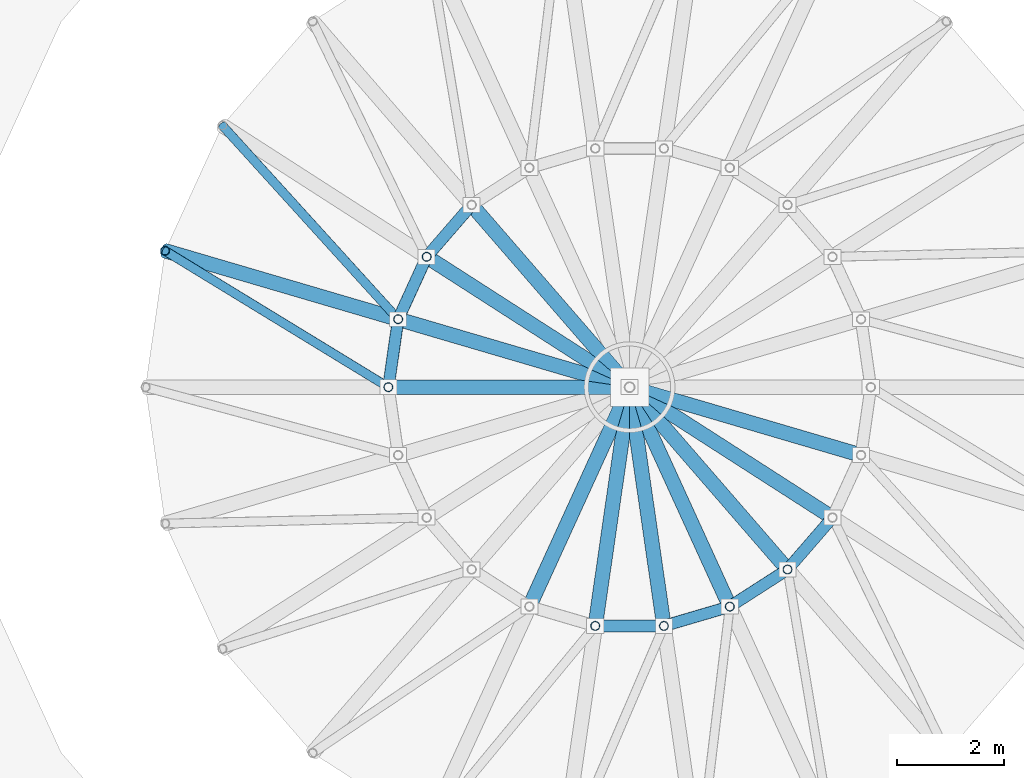
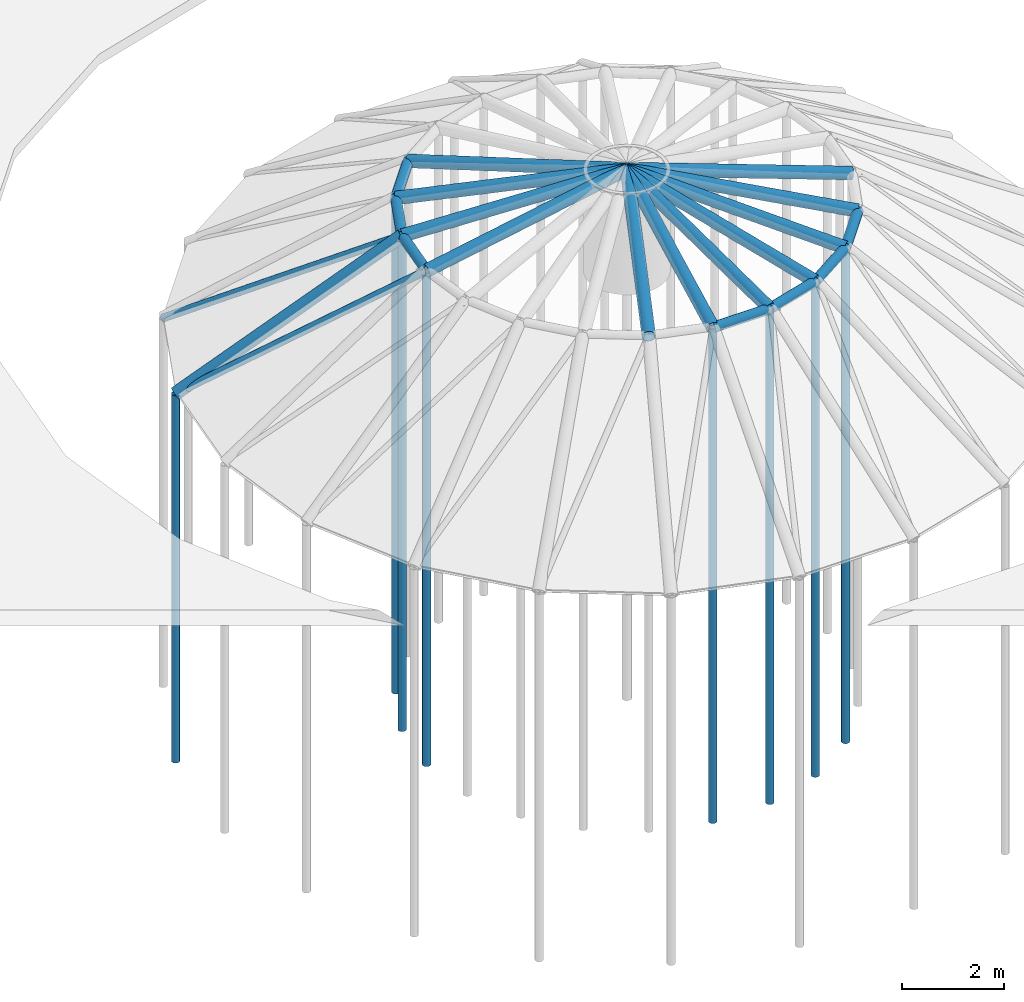
# One storey, part 2 of 8: 19 beams, 10 members.
"""IFC4 building model written with IfcOpenShell, lengths in metres."""

from ifc_helpers import new_model, si_unit, direction, frame, origin, origin_2d, place, context, subcontext, project, spatial, hollow_circle, extrude, material, material_profile, profile_set, type_object, element, save


model = new_model("IFC4")

# Units and contexts
model_context = context("Model", 3, precision=1e-05, world=origin(), true_north=direction((0.0, 1.0)))
body_context = subcontext(model_context, "Body", "Model", "MODEL_VIEW")
ifc_project = project(units=[si_unit("LENGTHUNIT", "METRE"), si_unit("AREAUNIT", "SQUARE_METRE"), si_unit("VOLUMEUNIT", "CUBIC_METRE"), si_unit("PLANEANGLEUNIT", "RADIAN"), si_unit("MASSUNIT", "GRAM", prefix="KILO")], contexts=[model_context])

# Site, building, storey
site_placement = place(None, origin())
site = spatial("IfcSite", under=ifc_project, at=site_placement, CompositionType="ELEMENT")
building_placement = place(site_placement, origin())
building = spatial("IfcBuilding", under=site, at=building_placement, Name="Pelvatis Terrace Science Centre", CompositionType="ELEMENT")
storey_placement = place(building_placement, frame((0.0, 0.0, 28.800048828125)))
storey = spatial("IfcBuildingStorey", under=building, at=storey_placement, Name="RF", CompositionType="ELEMENT", Elevation=28.800048828125)

# Beams
ifc_material_1 = material(Name="Structural steel S355", Category="steel")
ifc_material_profile_1 = material_profile(ifc_material_1, hollow_circle(Radius=0.136474609375, WallThickness=0.010009765625, at=origin_2d()), Name="CHS 273.0x10.0")
ifc_profile_set_1 = profile_set([ifc_material_profile_1], Name="Structural steel S355")
beam_type_1 = type_object("IfcBeamType", Name="BM-DOME-CHS273", PredefinedType="BEAM", material=ifc_profile_set_1)
for number, where, z_axis, x_axis, name in (
    (1, (106.242919921875, 89.21240234375, 1.56298828125), (0.643919949222, -0.74307043678, 0.182245507425), (0.755726545812, 0.654887309356, 0.0), "Planetarium meridional dome rib 09.4"),
    (2, (105.4013671875, 88.2412109375, 1.56298828125), (0.82716924602, -0.531580775818, 0.182244114362), (0.540634613019, 0.841257520148, 0.0), "Planetarium meridional dome rib 10.4"),
):
    element("IfcBeam", number, at=place(storey_placement, frame(where, z_axis=z_axis, x_axis=x_axis)), inside=storey, type_object=beam_type_1, Name=name, PredefinedType="BEAM", context=body_context, shape_type="SweptSolid", body=[
        extrude(hollow_circle(Radius=0.136474609375, WallThickness=0.010009765625, at=origin_2d()), origin(), (0.0, 0.0, 1.0), 4.59228515625),
    ])
beam_1_placement = place(storey_placement, frame((100.50341796875, 88.353515625, -1.447265625), z_axis=(0.800117514177, -0.234954787799, 0.551913227961), x_axis=(0.281753630104, 0.959486785695, 0.0)))
element("IfcBeam", 3, at=beam_1_placement, inside=storey, type_object=beam_type_1, Name="Planetarium meridional dome rib 11.3", PredefinedType="BEAM", context=body_context, shape_type="SweptSolid", body=[
    extrude(hollow_circle(Radius=0.136474609375, WallThickness=0.010009765625, at=origin_2d()), origin(), (0.0, 0.0, 1.0), 5.4541015625),
])
for number, where, z_axis, x_axis, name in (
    (4, (104.867431640625, 87.072021484375, 1.56298828125), (0.943434743403, -0.276980447038, 0.182243564769), (0.281697924561, 0.959503141891, 0.0), "Planetarium meridional dome rib 11.4"),
    (5, (104.6845703125, 85.800048828125, 1.56298828125), (0.983253437061, 0.0, 0.182243459435), (0.0, 1.0, 0.0), "Planetarium meridional dome rib 12.4"),
    (6, (107.32421875, 81.692626953125, 1.56298828125), (0.408446861698, 0.894404529637, 0.18224077078), (-0.909637375903, 0.415403231043, 0.0), "Planetarium meridional dome rib 16.4"),
    (7, (108.557373046875, 81.33056640625, 1.56298828125), (0.139923839948, 0.973246860912, 0.182241232272), (-0.989822578424, 0.142306933217, 0.0), "Planetarium meridional dome rib 17.4"),
    (8, (109.842529296875, 81.33056640625, 1.56298828125), (-0.139923839948, 0.973246860912, 0.182241232272), (-0.989822578424, -0.142306933217, 0.0), "Planetarium meridional dome rib 18.4"),
    (9, (111.07568359375, 81.692626953125, 1.56298828125), (-0.408446861698, 0.894404529637, 0.18224077078), (-0.909637375903, -0.415403231043, 0.0), "Planetarium meridional dome rib 19.4"),
):
    element("IfcBeam", number, at=place(storey_placement, frame(where, z_axis=z_axis, x_axis=x_axis)), inside=storey, type_object=beam_type_1, Name=name, PredefinedType="BEAM", context=body_context, shape_type="SweptSolid", body=[
        extrude(hollow_circle(Radius=0.136474609375, WallThickness=0.010009765625, at=origin_2d()), origin(), (0.0, 0.0, 1.0), 4.59228515625),
    ])
beam_2_placement = place(storey_placement, frame((112.156982421875, 82.387451171875, 1.56298828125), z_axis=(-0.643894512117, 0.743094244582, 0.182238308086), x_axis=(-0.755749733489, -0.654860550294, 0.0)))
element("IfcBeam", 10, at=beam_2_placement, inside=storey, type_object=beam_type_1, Name="Planetarium meridional dome rib 20.4", PredefinedType="BEAM", context=body_context, shape_type="SweptSolid", body=[
    extrude(hollow_circle(Radius=0.136474609375, WallThickness=0.010009765625, at=origin_2d()), origin(), (0.0, 0.0, 1.0), 4.592529296875),
])
for number, where, z_axis, x_axis, name in (
    (11, (112.99853515625, 83.35888671875, 1.56298828125), (-0.82716924602, 0.531580775818, 0.182244114362), (-0.540634613019, -0.841257520148, 0.0), "Planetarium meridional dome rib 21.4"),
    (12, (113.532470703125, 84.52783203125, 1.56298828125), (-0.943420850134, 0.277029530601, 0.182240881002), (-0.28174770157, -0.959488526591, 0.0), "Planetarium meridional dome rib 22.4"),
):
    element("IfcBeam", number, at=place(storey_placement, frame(where, z_axis=z_axis, x_axis=x_axis)), inside=storey, type_object=beam_type_1, Name=name, PredefinedType="BEAM", context=body_context, shape_type="SweptSolid", body=[
        extrude(hollow_circle(Radius=0.136474609375, WallThickness=0.010009765625, at=origin_2d()), origin(), (0.0, 0.0, 1.0), 4.59228515625),
    ])
ifc_material_2 = material(Name="Structural steel S355", Category="steel")
ifc_material_profile_2 = material_profile(ifc_material_2, hollow_circle(Radius=0.109619140625, WallThickness=0.008056640625, at=origin_2d()), Name="CHS 219.1x8.0")
ifc_profile_set_2 = profile_set([ifc_material_profile_2], Name="Structural steel S355")
beam_type_2 = type_object("IfcBeamType", Name="BM-HOOP-CHS219", PredefinedType="BEAM", material=ifc_profile_set_2)
beam_3_placement = place(storey_placement, frame((106.242919921875, 89.21240234375, 1.56298828125), z_axis=(-0.654865440882, -0.755745495744, 0.0), x_axis=(0.755745495744, -0.654865440882, 0.0)))
element("IfcBeam", 13, at=beam_3_placement, inside=storey, type_object=beam_type_2, Name="Planetarium dome hoop ring 4.09", PredefinedType="BEAM", context=body_context, shape_type="SweptSolid", body=[
    extrude(hollow_circle(Radius=0.109619140625, WallThickness=0.008056640625, at=origin_2d()), origin(), (0.0, 0.0, 1.0), 1.28515625),
])
beam_4_placement = place(storey_placement, frame((105.4013671875, 88.2412109375, 1.56298828125), z_axis=(-0.415405108743, -0.909636518413, 0.0), x_axis=(0.909636518413, -0.415405108743, 0.0)))
element("IfcBeam", 14, at=beam_4_placement, inside=storey, type_object=beam_type_2, Name="Planetarium dome hoop ring 4.10", PredefinedType="BEAM", context=body_context, shape_type="SweptSolid", body=[
    extrude(hollow_circle(Radius=0.109619140625, WallThickness=0.008056640625, at=origin_2d()), origin(), (0.0, 0.0, 1.0), 1.285400390625),
])
for number, where, z_axis, x_axis, name in (
    (15, (104.867431640625, 87.072021484375, 1.56298828125), (-0.142299033002, -0.989823714207, 0.0), (0.989823714207, -0.142299033002, 0.0), "Planetarium dome hoop ring 4.11"),
    (16, (108.557373046875, 81.33056640625, 1.56298828125), (1.0, 0.0, 0.0), (0.0, 1.0, 0.0), "Planetarium dome hoop ring 4.17"),
    (17, (109.842529296875, 81.33056640625, 1.56298828125), (0.959498489301, 0.281713771458, 0.0), (-0.281713771458, 0.959498489301, 0.0), "Planetarium dome hoop ring 4.18"),
):
    element("IfcBeam", number, at=place(storey_placement, frame(where, z_axis=z_axis, x_axis=x_axis)), inside=storey, type_object=beam_type_2, Name=name, PredefinedType="BEAM", context=body_context, shape_type="SweptSolid", body=[
        extrude(hollow_circle(Radius=0.109619140625, WallThickness=0.008056640625, at=origin_2d()), origin(), (0.0, 0.0, 1.0), 1.28515625),
    ])
beam_5_placement = place(storey_placement, frame((111.07568359375, 81.692626953125, 1.56298828125), z_axis=(0.84128337713, 0.540594376002, 0.0), x_axis=(-0.540594376002, 0.84128337713, 0.0)))
element("IfcBeam", 18, at=beam_5_placement, inside=storey, type_object=beam_type_2, Name="Planetarium dome hoop ring 4.19", PredefinedType="BEAM", context=body_context, shape_type="SweptSolid", body=[
    extrude(hollow_circle(Radius=0.109619140625, WallThickness=0.008056640625, at=origin_2d()), origin(), (0.0, 0.0, 1.0), 1.285400390625),
])
beam_6_placement = place(storey_placement, frame((112.156982421875, 82.387451171875, 1.56298828125), z_axis=(0.654771425378, 0.75582695143, 0.0), x_axis=(-0.75582695143, 0.654771425378, 0.0)))
element("IfcBeam", 19, at=beam_6_placement, inside=storey, type_object=beam_type_2, Name="Planetarium dome hoop ring 4.20", PredefinedType="BEAM", context=body_context, shape_type="SweptSolid", body=[
    extrude(hollow_circle(Radius=0.109619140625, WallThickness=0.008056640625, at=origin_2d()), origin(), (0.0, 0.0, 1.0), 1.28515625),
])

# Members
ifc_material_3 = material(Name="Structural steel S355", Category="steel")
ifc_material_profile_3 = material_profile(ifc_material_3, hollow_circle(Radius=0.084228515625, WallThickness=0.00634765625, at=origin_2d()), Name="CHS 168.3x6.3")
ifc_profile_set_3 = profile_set([ifc_material_profile_3], Name="Structural steel S355")
member_type_1 = type_object("IfcMemberType", Name="MEM-BRC-CHS168", PredefinedType="BRACE", material=ifc_profile_set_3)
member_1_placement = place(storey_placement, frame((101.5751953125, 90.7001953125, -1.447265625), z_axis=(0.572549038509, -0.630971543291, 0.523509799393), x_axis=(0.740559845895, 0.671990412616, 0.0)))
element("IfcMember", 20, at=member_1_placement, inside=storey, type_object=member_type_1, Name="Planetarium dome lateral brace 3.10", PredefinedType="BRACE", context=body_context, shape_type="SweptSolid", body=[
    extrude(hollow_circle(Radius=0.084228515625, WallThickness=0.00634765625, at=origin_2d()), origin(), (0.0, 0.0, 1.0), 5.750244140625),
])
member_2_placement = place(storey_placement, frame((100.50341796875, 88.353515625, -1.447265625), z_axis=(0.72714201625, -0.444072074504, 0.523511681675), x_axis=(0.521200039779, 0.853434542619, 0.0)))
element("IfcMember", 21, at=member_2_placement, inside=storey, type_object=member_type_1, Name="Planetarium dome lateral brace 3.11", PredefinedType="BRACE", context=body_context, shape_type="SweptSolid", body=[
    extrude(hollow_circle(Radius=0.084228515625, WallThickness=0.00634765625, at=origin_2d()), origin(), (0.0, 0.0, 1.0), 5.75),
])
ifc_material_4 = material(Name="Structural steel S355", Category="steel")
ifc_material_profile_4 = material_profile(ifc_material_4, hollow_circle(Radius=0.084228515625, WallThickness=0.00634765625, at=origin_2d()), Name="CHS 168.3x6.3")
ifc_profile_set_4 = profile_set([ifc_material_profile_4], Name="Structural steel S355")
member_type_2 = type_object("IfcMemberType", Name="MEM-STR-CHS168", PredefinedType="STRUT", material=ifc_profile_set_4)
member_3_placement = place(storey_placement, frame((105.4013671875, 88.2412109375, -10.199951171875), z_axis=(0.0, 0.0, 1.0), x_axis=(1.0, 0.0, 0.0)))
element("IfcMember", 22, at=member_3_placement, inside=storey, type_object=member_type_2, Name="Dome arch vertical web post 3.10", PredefinedType="STRUT", context=body_context, shape_type="SweptSolid", body=[
    extrude(hollow_circle(Radius=0.084228515625, WallThickness=0.00634765625, at=origin_2d()), origin(), (0.0, 0.0, 1.0), 11.762939453125),
])
member_4_placement = place(storey_placement, frame((100.50341796875, 88.353515625, -10.199951171875), z_axis=(0.0, 0.0, 1.0), x_axis=(1.0, 0.0, 0.0)))
element("IfcMember", 23, at=member_4_placement, inside=storey, type_object=member_type_2, Name="Dome arch vertical web post 2.11", PredefinedType="STRUT", context=body_context, shape_type="SweptSolid", body=[
    extrude(hollow_circle(Radius=0.084228515625, WallThickness=0.00634765625, at=origin_2d()), origin(), (0.0, 0.0, 1.0), 8.752685546875),
])
for number, where, z_axis, x_axis, name in (
    (24, (104.867431640625, 87.072021484375, -10.199951171875), (0.0, 0.0, 1.0), (1.0, 0.0, 0.0), "Dome arch vertical web post 3.11"),
    (25, (104.6845703125, 85.800048828125, -10.199951171875), (0.0, 0.0, 1.0), (1.0, 0.0, 0.0), "Dome arch vertical web post 3.12"),
    (26, (108.557373046875, 81.33056640625, -10.199951171875), (0.0, 0.0, 1.0), (1.0, 0.0, 0.0), "Dome arch vertical web post 3.17"),
    (27, (109.842529296875, 81.33056640625, -10.199951171875), (0.0, 0.0, 1.0), (1.0, 0.0, 0.0), "Dome arch vertical web post 3.18"),
    (28, (111.07568359375, 81.692626953125, -10.199951171875), (0.0, 0.0, 1.0), (1.0, 0.0, 0.0), "Dome arch vertical web post 3.19"),
    (29, (112.156982421875, 82.387451171875, -10.199951171875), (0.0, 0.0, 1.0), (1.0, 0.0, 0.0), "Dome arch vertical web post 3.20"),
):
    element("IfcMember", number, at=place(storey_placement, frame(where, z_axis=z_axis, x_axis=x_axis)), inside=storey, type_object=member_type_2, Name=name, PredefinedType="STRUT", context=body_context, shape_type="SweptSolid", body=[
        extrude(hollow_circle(Radius=0.084228515625, WallThickness=0.00634765625, at=origin_2d()), origin(), (0.0, 0.0, 1.0), 11.762939453125),
    ])

save(model, "model.ifc")
